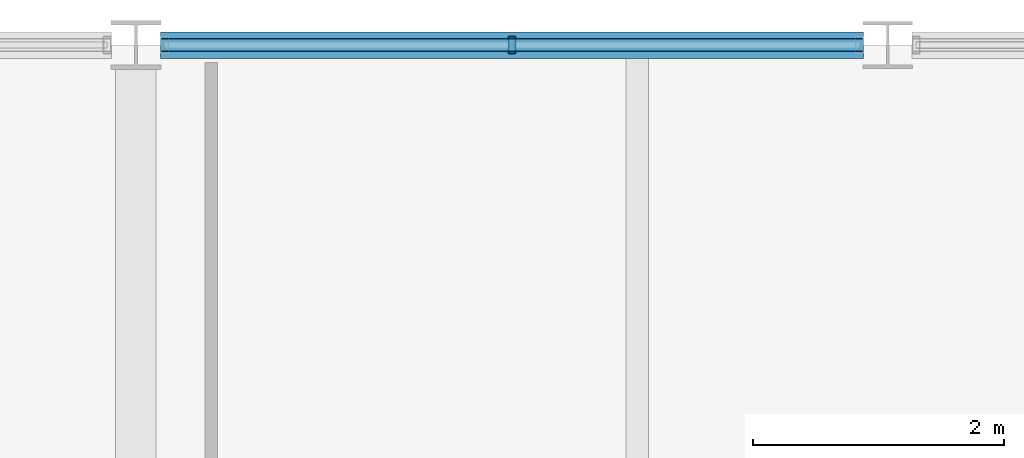
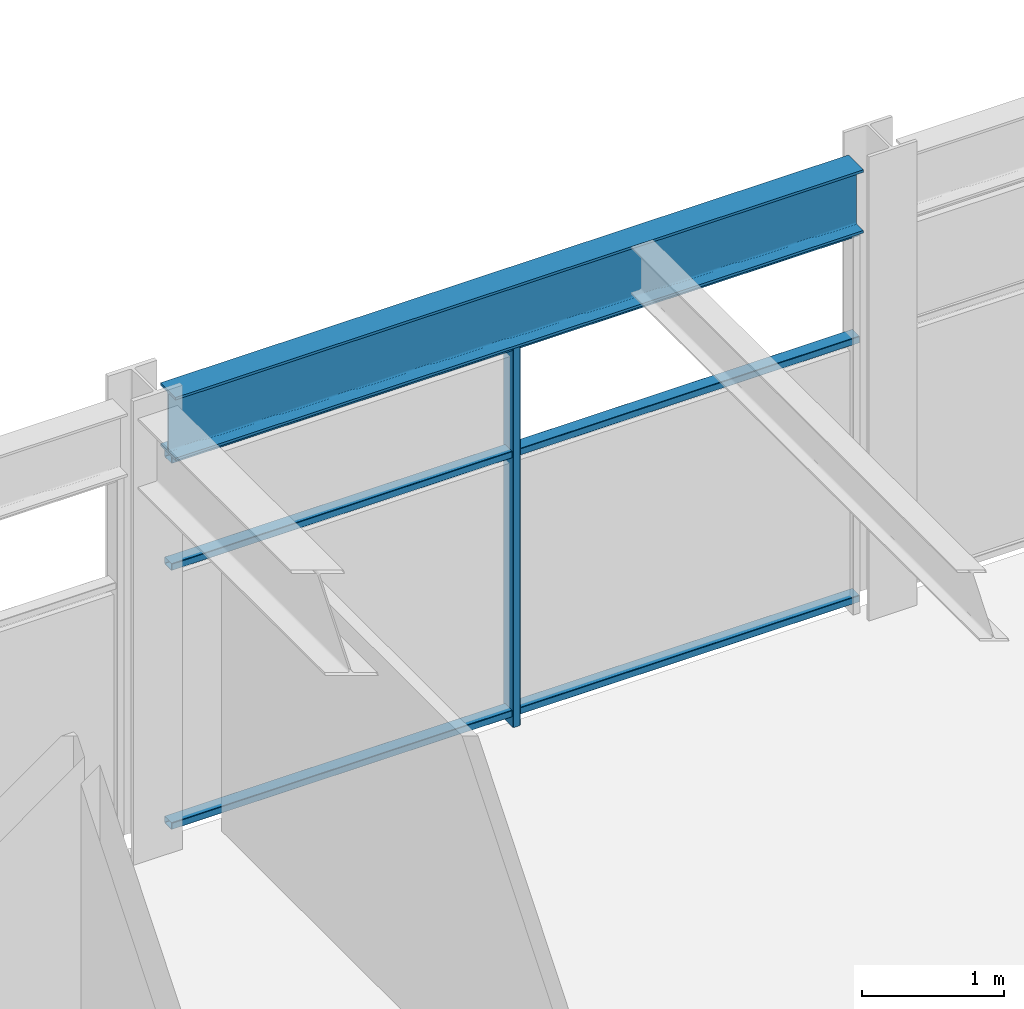
# One storey, part 26 of 52: 4 members, 1 beam, 1 element without a shape of its own.
"""IFC4 building model written with IfcOpenShell, lengths in metres."""

from ifc_helpers import new_model, si_unit, direction, frame, origin, origin_2d, place, context, subcontext, project, spatial, hollow_rectangle, i_section, extrude, material, material_profile, profile_set, type_object, element, aggregate, save


model = new_model("IFC4")

# Units and contexts
model_context = context("Model", 3, precision=1e-05, world=origin(), true_north=direction((0.0, 1.0)))
body_context = subcontext(model_context, "Body", "Model", "MODEL_VIEW")
ifc_project = project(units=[si_unit("LENGTHUNIT", "METRE"), si_unit("AREAUNIT", "SQUARE_METRE"), si_unit("VOLUMEUNIT", "CUBIC_METRE"), si_unit("PLANEANGLEUNIT", "RADIAN"), si_unit("MASSUNIT", "GRAM", prefix="KILO")], contexts=[model_context])

# Site, building, storey
site_placement = place(None, origin())
site = spatial("IfcSite", under=ifc_project, at=site_placement, CompositionType="ELEMENT")
building_placement = place(site_placement, origin())
building = spatial("IfcBuilding", under=site, at=building_placement, Name="Girod Span Mobility Hub", CompositionType="ELEMENT")
storey_placement = place(building_placement, frame((0.0, 0.0, 45.60009765625)))
storey = spatial("IfcBuildingStorey", under=building, at=storey_placement, Name="L11", CompositionType="ELEMENT", Elevation=45.60009765625)

# Beam
ifc_material_1 = material(Name="Steel A992 Grade 50", Category="steel")
ifc_material_profile_1 = material_profile(ifc_material_1, i_section(OverallWidth=0.2119140625, OverallDepth=0.5439453125, WebThickness=0.01318359375, FlangeThickness=0.021240234375, FilletRadius=0.014892578125, at=origin_2d()), Name="W21X83")
ifc_profile_set_1 = profile_set([ifc_material_profile_1], Name="Steel A992 Grade 50")
beam_type = type_object("IfcBeamType", Name="BM-STL-W21X83", PredefinedType="SPANDREL", material=ifc_profile_set_1)
beam_placement = place(storey_placement, frame((84.196533203125, 69.0, 3.56787109375), z_axis=(1.0, 0.0, 0.0), x_axis=(0.0, 1.0, 0.0)))
element("IfcBeam", 1, at=beam_placement, inside=storey, type_object=beam_type, Name="Spandrel Beam 8-9/F-W L11", PredefinedType="SPANDREL", context=body_context, shape_type="SweptSolid", body=[
    extrude(i_section(OverallWidth=0.2119140625, OverallDepth=0.5439453125, WebThickness=0.01318359375, FlangeThickness=0.021240234375, FilletRadius=0.014892578125, at=origin_2d()), origin(), (0.0, 0.0, 1.0), 5.609375),
])

# Curtain wall, members
ifc_material_2 = material(Name="Thermally Broken Anodised Aluminium", Category="aluminium")
curtain_wall_type = type_object("IfcCurtainWallType", Name="CW-561X330", PredefinedType="USERDEFINED", material=ifc_material_2)
curtain_wall_placement = place(storey_placement, origin())
curtain_wall = element("IfcCurtainWall", 2, at=curtain_wall_placement, inside=storey, type_object=curtain_wall_type, Name="Unitised Curtain Wall CW-L11-N08W L11", ObjectType="UNITISED CURTAIN WALL", PredefinedType="USERDEFINED")
ifc_material_3 = material(Name="Thermally Broken Anodised Aluminium", Category="aluminium")
ifc_material_profile_2 = material_profile(ifc_material_3, hollow_rectangle(XDim=0.139892578125, YDim=0.06005859375, WallThickness=0.00341796875, InnerFilletRadius=0.00341796875, OuterFilletRadius=0.007080078125, at=origin_2d()), Name="CW-ML-60X140")
ifc_profile_set_2 = profile_set([ifc_material_profile_2], Name="Thermally Broken Anodised Aluminium")
member_type_1 = type_object("IfcMemberType", Name="CWM-ML-4", PredefinedType="MULLION", material=ifc_profile_set_2)
member_1_placement = place(storey_placement, frame((87.001220703125, 69.0, 0.0), z_axis=(0.0, 0.0, 1.0), x_axis=(0.0, 1.0, 0.0)))
member_1 = element("IfcMember", 3, at=member_1_placement, type_object=member_type_1, Name="Curtain Wall Mullion CW-L11-N08W-M1", PredefinedType="MULLION", context=body_context, shape_type="SweptSolid", body=[
    extrude(hollow_rectangle(XDim=0.139892578125, YDim=0.06005859375, WallThickness=0.00341796875, InnerFilletRadius=0.00341796875, OuterFilletRadius=0.007080078125, at=origin_2d()), origin(), (0.0, 0.0, 1.0), 3.2958984375),
])
ifc_material_4 = material(Name="Thermally Broken Anodised Aluminium", Category="aluminium")
ifc_material_profile_3 = material_profile(ifc_material_4, hollow_rectangle(XDim=0.10498046875, YDim=0.06005859375, WallThickness=0.00341796875, InnerFilletRadius=0.00341796875, OuterFilletRadius=0.007080078125, at=origin_2d()), Name="CW-TR-60X105")
ifc_profile_set_3 = profile_set([ifc_material_profile_3], Name="Thermally Broken Anodised Aluminium")
member_type_2 = type_object("IfcMemberType", Name="CWM-TR-4", PredefinedType="USERDEFINED", material=ifc_profile_set_3)
member_2_placement = place(storey_placement, frame((84.197509765625, 69.0, 0.10986328125), z_axis=(1.0, 0.0, 0.0), x_axis=(0.0, 1.0, 0.0)))
member_2 = element("IfcMember", 4, at=member_2_placement, type_object=member_type_2, Name="Curtain Wall Transom CW-L11-N08W-T1", ObjectType="TRANSOM", PredefinedType="USERDEFINED", context=body_context, shape_type="SweptSolid", body=[
    extrude(hollow_rectangle(XDim=0.10498046875, YDim=0.06005859375, WallThickness=0.00341796875, InnerFilletRadius=0.00341796875, OuterFilletRadius=0.007080078125, at=origin_2d()), origin(), (0.0, 0.0, 1.0), 5.607421875),
])
member_3_placement = place(storey_placement, frame((84.197509765625, 69.0, 2.343017578125), z_axis=(1.0, 0.0, 0.0), x_axis=(0.0, 1.0, 0.0)))
member_3 = element("IfcMember", 5, at=member_3_placement, type_object=member_type_2, Name="Curtain Wall Transom CW-L11-N08W-T2", ObjectType="TRANSOM", PredefinedType="USERDEFINED", context=body_context, shape_type="SweptSolid", body=[
    extrude(hollow_rectangle(XDim=0.10498046875, YDim=0.06005859375, WallThickness=0.00341796875, InnerFilletRadius=0.00341796875, OuterFilletRadius=0.007080078125, at=origin_2d()), origin(), (0.0, 0.0, 1.0), 5.607421875),
])
member_4_placement = place(storey_placement, frame((84.197509765625, 69.0, 3.265869140625), z_axis=(1.0, 0.0, 0.0), x_axis=(0.0, 1.0, 0.0)))
member_4 = element("IfcMember", 6, at=member_4_placement, type_object=member_type_2, Name="Curtain Wall Transom CW-L11-N08W-T3", ObjectType="TRANSOM", PredefinedType="USERDEFINED", context=body_context, shape_type="SweptSolid", body=[
    extrude(hollow_rectangle(XDim=0.10498046875, YDim=0.06005859375, WallThickness=0.00341796875, InnerFilletRadius=0.00341796875, OuterFilletRadius=0.007080078125, at=origin_2d()), origin(), (0.0, 0.0, 1.0), 5.607421875),
])
aggregate(curtain_wall, [member_1, member_2, member_3, member_4])

save(model, "model.ifc")
